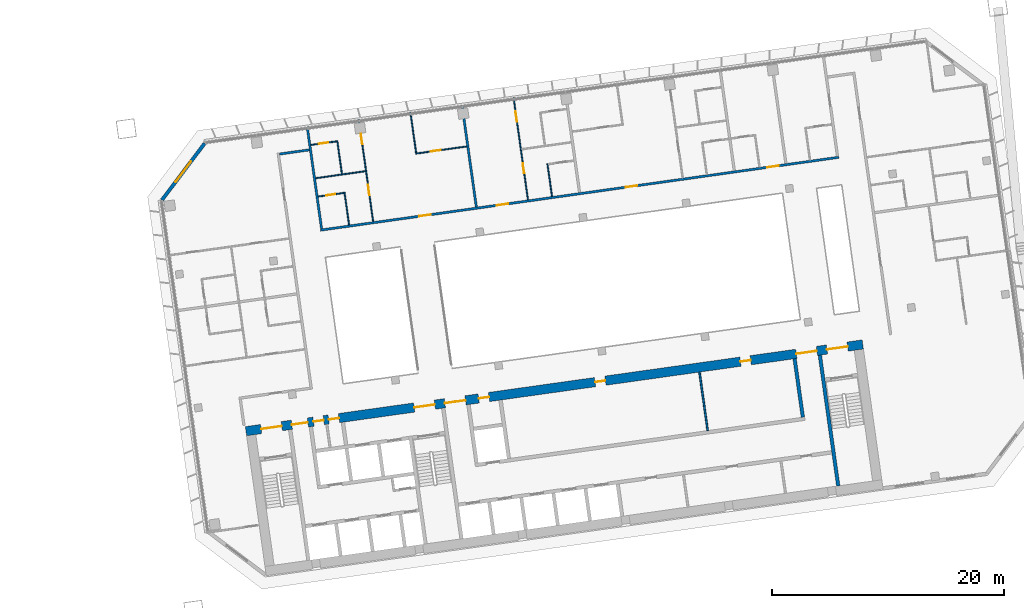
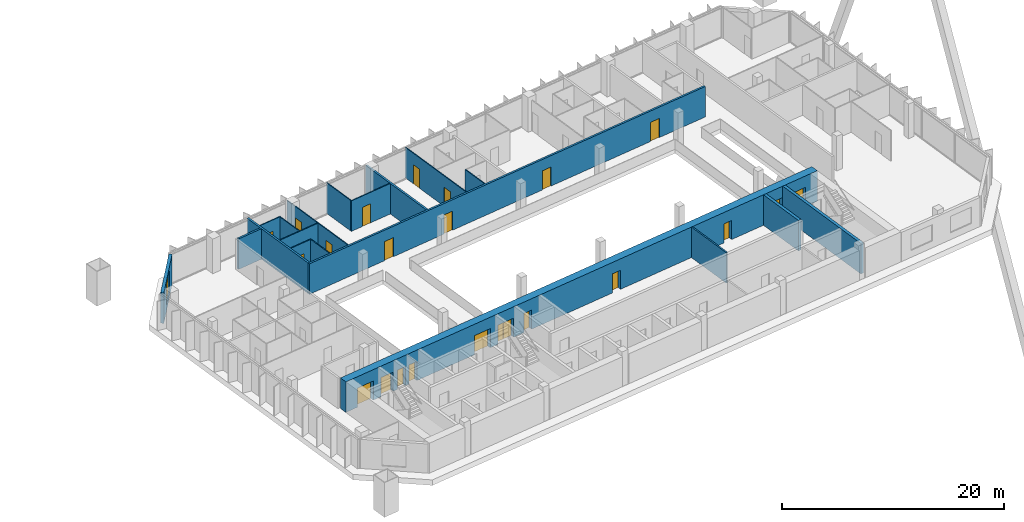
# One storey, part 28 of 33: 22 doors, 19 walls, 1 window, 23 openings.
"""IFC4 building model written with IfcOpenShell, lengths in metres."""

import ifcopenshell
import ifcopenshell.guid

model = None  # the IFC model being written
_history = None  # IfcOwnerHistory: only IFC2X3 demands one
_inside = {}  # id of a spatial element -> (the spatial element, [elements in it])
_under = {}  # id of a project, library or spatial element -> (it, [spatial elements below it])
_declared = {}  # id of a project -> (the project, [libraries it declares])
_typed = {}  # id of a type object -> (the type object, [elements of that type])
_made_of = {}  # id of a material, layer set ... -> (it, [elements and type objects made of it])


def new_model(schema):
    """Start an empty IFC model of exactly this schema.

    Asked for "IFC4X3", IfcOpenShell would pick the latest addendum, in which some entities
    have other attributes; the version numbers below select the first issue.
    IFC2X3 requires an IfcOwnerHistory on every rooted entity: one is made here for all.
    """
    global model, _history
    if schema == "IFC4X3":
        model = ifcopenshell.file(schema_version=(4, 3, 0, 0))
    else:
        model = ifcopenshell.file(schema=schema)
    _inside.clear()
    _under.clear()
    _declared.clear()
    _typed.clear()
    _made_of.clear()
    _history = None
    if model.schema == "IFC2X3":
        org = make("IfcOrganization", Name="unknown")
        user = make(
            "IfcPersonAndOrganization",
            ThePerson=make("IfcPerson", FamilyName="unknown"),
            TheOrganization=org,
        )
        app = make(
            "IfcApplication",
            ApplicationDeveloper=org,
            Version="unknown",
            ApplicationFullName="unknown",
            ApplicationIdentifier="unknown",
        )
        _history = make(
            "IfcOwnerHistory",
            OwningUser=user,
            OwningApplication=app,
            ChangeAction="ADDED",
            CreationDate=0,
        )
    return model


def make(cls, **values):
    """One entity of the class cls with the attributes given. An attribute that is None is left unset."""
    return model.create_entity(
        cls, **{name: value for name, value in values.items() if value is not None}
    )


def rooted(cls, **values):
    """An entity with a GlobalId (a new one), such as an element, a storey or a relation."""
    return make(cls, GlobalId=ifcopenshell.guid.new(), OwnerHistory=_history, **values)


def si_unit(unit_type, name, prefix=None):
    """IfcSIUnit, for example si_unit("LENGTHUNIT", "METRE", prefix="MILLI")."""
    return make("IfcSIUnit", UnitType=unit_type, Prefix=prefix, Name=name)


def assignment(units):
    """IfcUnitAssignment: the units of a project."""
    return None if units is None else make("IfcUnitAssignment", Units=units)


def point(xyz):
    """IfcCartesianPoint."""
    return None if xyz is None else make("IfcCartesianPoint", Coordinates=xyz)


def direction(xyz):
    """IfcDirection."""
    return None if xyz is None else make("IfcDirection", DirectionRatios=xyz)


def frame(location, z_axis=None, x_axis=None):
    """IfcAxis2Placement3D, a coordinate frame: its origin and axes. An axis left out is left unset."""
    return make(
        "IfcAxis2Placement3D",
        Location=point(location),
        Axis=direction(z_axis),
        RefDirection=direction(x_axis),
    )


def frame_2d(location, x_axis=None):
    """IfcAxis2Placement2D, a coordinate frame in the plane: its origin and x axis."""
    return make(
        "IfcAxis2Placement2D", Location=point(location), RefDirection=direction(x_axis)
    )


def origin():
    """The frame at (0, 0, 0) with its axes left unset."""
    return frame((0.0, 0.0, 0.0))


def place(relative_to, where):
    """IfcLocalPlacement: puts the frame where relative to a parent placement (None: the world)."""
    return make(
        "IfcLocalPlacement", PlacementRelTo=relative_to, RelativePlacement=where
    )


def context(
    kind, dimensions, precision=None, world=None, true_north=None, identifier=None
):
    """IfcGeometricRepresentationContext, for example the 3D "Model" context."""
    return make(
        "IfcGeometricRepresentationContext",
        ContextIdentifier=identifier,
        ContextType=kind,
        CoordinateSpaceDimension=dimensions,
        Precision=precision,
        WorldCoordinateSystem=world,
        TrueNorth=true_north,
    )


def subcontext(parent, identifier, kind, view, scale=None):
    """IfcGeometricRepresentationSubContext, for example "Body" below "Model"."""
    return make(
        "IfcGeometricRepresentationSubContext",
        ContextIdentifier=identifier,
        ContextType=kind,
        ParentContext=parent,
        TargetScale=scale,
        TargetView=view,
    )


def project(units=None, contexts=None):
    """IfcProject with its units and contexts."""
    return rooted(
        "IfcProject",
        Name="project",
        RepresentationContexts=contexts,
        UnitsInContext=assignment(units),
    )


def spatial(cls, under=None, at=None, **own):
    """A site, building, storey or space (cls), placed at a placement, below another one or the project."""
    s = rooted(cls, ObjectPlacement=at, **own)
    if under is not None:
        _under.setdefault(under.id(), (under, []))[1].append(s)
    return s


def profile(cls, at=None, kind="AREA", **sizes):
    """A parametric profile (cls). Its sizes go by their IFC names, for example OverallWidth=200.0."""
    return make(cls, ProfileType=kind, Position=at, **sizes)


def rectangle(**sizes):
    """IfcRectangleProfileDef."""
    return profile("IfcRectangleProfileDef", **sizes)


def extrude(swept, where, along, depth):
    """IfcExtrudedAreaSolid: the profile swept, set in the frame where, extruded along a direction by depth."""
    return make(
        "IfcExtrudedAreaSolid",
        SweptArea=swept,
        Position=where,
        ExtrudedDirection=direction(along),
        Depth=depth,
    )


def shape(context_of_items, identifier, shape_type, items):
    """IfcShapeRepresentation: the items that make up one representation, for example the "Body"."""
    return make(
        "IfcShapeRepresentation",
        ContextOfItems=context_of_items,
        RepresentationIdentifier=identifier,
        RepresentationType=shape_type,
        Items=items,
    )


def material(Name=None, Category=None):
    """IfcMaterial."""
    return make("IfcMaterial", Name=Name, Category=Category)


def layer(
    of_material, thickness, ventilated=None, Name=None, Category=None, Priority=None
):
    """IfcMaterialLayer: one layer of a wall or slab, of a material (None: an air gap)."""
    return make(
        "IfcMaterialLayer",
        Material=of_material,
        LayerThickness=thickness,
        IsVentilated=ventilated,
        Name=Name,
        Category=Category,
        Priority=Priority,
    )


def layer_set(layers, Name=None):
    """IfcMaterialLayerSet."""
    return make("IfcMaterialLayerSet", MaterialLayers=layers, LayerSetName=Name)


def made_of(thing, what):
    """Note that an element or type object is made of a material, layer set ...; save() writes the relation."""
    if what is not None:
        _made_of.setdefault(what.id(), (what, []))[1].append(thing)
    return thing


def type_object(cls, material=None, **own):
    """A type object (cls), such as IfcWallType, which elements share."""
    return made_of(rooted(cls, **own), material)


def element(
    cls,
    number,
    at=None,
    inside=None,
    cuts=None,
    type_object=None,
    material=None,
    context=None,
    identifier="Body",
    shape_type=None,
    held_by="IfcProductDefinitionShape",
    body=None,
    shapes=None,
    **own,
):
    """One element of the class cls, such as IfcWall. Its Tag is "e" and its number.

    at: its placement. inside: the storey or other place that contains it. cuts: it is an
    opening in that element (IfcRelVoidsElement). A single representation is given by context,
    identifier, shape_type and body (its items); several are given by shapes. held_by: the class
    of the entity that holds the representations. save() writes the other relations.
    """
    e = rooted(cls, Tag="e%d" % number, ObjectPlacement=at, **own)
    if body is not None:
        shapes = [shape(context, identifier, shape_type, body)]
    if shapes is not None:
        e.Representation = make(held_by, Representations=shapes)
    if inside is not None:
        _inside.setdefault(inside.id(), (inside, []))[1].append(e)
    if cuts is not None:
        rooted(
            "IfcRelVoidsElement", RelatingBuildingElement=cuts, RelatedOpeningElement=e
        )
    if type_object is not None:
        _typed.setdefault(type_object.id(), (type_object, []))[1].append(e)
    return made_of(e, material)


def fill(opening, filler):
    """IfcRelFillsElement: the door or window that sits in an opening."""
    return rooted(
        "IfcRelFillsElement",
        RelatingOpeningElement=opening,
        RelatedBuildingElement=filler,
    )


def aggregate(whole, parts):
    """IfcRelAggregates: a whole, such as a stair, and the parts it consists of."""
    return rooted("IfcRelAggregates", RelatingObject=whole, RelatedObjects=parts)


def save(model, path):
    """Write the relations noted so far, then the file.

    IfcRelAggregates (storeys below a building ...), IfcRelContainedInSpatialStructure (elements
    in a storey), IfcRelDefinesByType, IfcRelAssociatesMaterial and IfcRelDeclares: one each for
    every whole, place, type object, material and project.
    """
    for whole, parts in _under.values():
        aggregate(whole, parts)
    for where, things in _inside.values():
        rooted(
            "IfcRelContainedInSpatialStructure",
            RelatedElements=things,
            RelatingStructure=where,
        )
    for kind, things in _typed.values():
        rooted("IfcRelDefinesByType", RelatedObjects=things, RelatingType=kind)
    for what, things in _made_of.values():
        rooted("IfcRelAssociatesMaterial", RelatedObjects=things, RelatingMaterial=what)
    for by, libraries in _declared.values():
        rooted("IfcRelDeclares", RelatingContext=by, RelatedDefinitions=libraries)
    model.write(path)


model = new_model("IFC4")

# Units and contexts
model_context = context("Model", 3, precision=1e-05, world=origin(), true_north=direction((0.0, 1.0)))
body_context = subcontext(model_context, "Body", "Model", "MODEL_VIEW")
ifc_project = project(units=[si_unit("LENGTHUNIT", "METRE"), si_unit("AREAUNIT", "SQUARE_METRE"), si_unit("VOLUMEUNIT", "CUBIC_METRE"), si_unit("PLANEANGLEUNIT", "RADIAN"), si_unit("MASSUNIT", "GRAM", prefix="KILO")], contexts=[model_context])

# Site, building, storey
site_placement = place(None, origin())
site = spatial("IfcSite", under=ifc_project, at=site_placement, CompositionType="ELEMENT")
building_placement = place(site_placement, origin())
building = spatial("IfcBuilding", under=site, at=building_placement, Name="Mirante Cascada Hotel Towers", CompositionType="ELEMENT")
storey_placement = place(building_placement, frame((0.0, 0.0, 121.5)))
storey = spatial("IfcBuildingStorey", under=building, at=storey_placement, Name="L27", CompositionType="ELEMENT", Elevation=121.5)

# Wall, openings, doors
ifc_material_1 = material(Name="Fire-rated plasterboard on metal studs")
ifc_layer_1 = layer(ifc_material_1, 0.2)
ifc_layer_set_1 = layer_set([ifc_layer_1], Name="Compartment wall 200 EI 120")
wall_type_1 = type_object("IfcWallType", Name="Compartment wall 200 EI 120", PredefinedType="PARTITIONING", material=ifc_layer_set_1)
wall_1_placement = place(storey_placement, frame((41.8779, 9.7676, 0.0), z_axis=(0.0, 0.0, 1.0), x_axis=(0.9902681, 0.1391726, 0.0)))
wall_1 = element("IfcWall", 1, at=wall_1_placement, inside=storey, type_object=wall_type_1, Name="Wall 2-L27-16", PredefinedType="PARTITIONING", context=body_context, shape_type="SweptSolid", body=[
    extrude(rectangle(XDim=45.2, YDim=0.2, at=frame_2d((22.6, 0.0))), origin(), (0.0, 0.0, 1.0), 3.35),
])
opening_1_placement = place(wall_1_placement, frame((8.6, 0.0, 0.0)))
opening_1 = element("IfcOpeningElement", 2, at=opening_1_placement, cuts=wall_1, Name="Opening D2-L27-09", PredefinedType="OPENING", context=body_context, shape_type="SweptSolid", body=[
    extrude(rectangle(XDim=1.0, YDim=2.1, at=frame_2d((0.5, 1.05))), frame((0.0, 0.1, 0.0), z_axis=(0.0, -1.0, 0.0), x_axis=(1.0, 0.0, 0.0)), (0.0, 0.0, 1.0), 0.2),
])
opening_2_placement = place(wall_1_placement, frame((15.35, 0.0, 0.0)))
opening_2 = element("IfcOpeningElement", 3, at=opening_2_placement, cuts=wall_1, Name="Opening D2-L27-10", PredefinedType="OPENING", context=body_context, shape_type="SweptSolid", body=[
    extrude(rectangle(XDim=1.0, YDim=2.1, at=frame_2d((0.5, 1.05))), frame((0.0, 0.1, 0.0), z_axis=(0.0, -1.0, 0.0), x_axis=(1.0, 0.0, 0.0)), (0.0, 0.0, 1.0), 0.2),
])
opening_3_placement = place(wall_1_placement, frame((26.6, 0.0, 0.0)))
opening_3 = element("IfcOpeningElement", 4, at=opening_3_placement, cuts=wall_1, Name="Opening D2-L27-11", PredefinedType="OPENING", context=body_context, shape_type="SweptSolid", body=[
    extrude(rectangle(XDim=1.0, YDim=2.1, at=frame_2d((0.5, 1.05))), frame((0.0, 0.1, 0.0), z_axis=(0.0, -1.0, 0.0), x_axis=(1.0, 0.0, 0.0)), (0.0, 0.0, 1.0), 0.2),
])
opening_4_placement = place(wall_1_placement, frame((38.95, 0.0, 0.0)))
opening_4 = element("IfcOpeningElement", 5, at=opening_4_placement, cuts=wall_1, Name="Opening D2-L27-12", PredefinedType="OPENING", context=body_context, shape_type="SweptSolid", body=[
    extrude(rectangle(XDim=1.0, YDim=2.1, at=frame_2d((0.5, 1.05))), frame((0.0, 0.1, 0.0), z_axis=(0.0, -1.0, 0.0), x_axis=(1.0, 0.0, 0.0)), (0.0, 0.0, 1.0), 0.2),
])
ifc_material_2 = material(Name="Fire-rated timber door leaf", Category="wood")
door_type_1 = type_object("IfcDoorType", Name="Entrance door DG1 1000x2100 EI 60", OperationType="SINGLE_SWING_LEFT", PredefinedType="DOOR", material=ifc_material_2)
door_1_placement = place(opening_1_placement, origin())
door_1 = element("IfcDoor", 6, at=door_1_placement, inside=storey, type_object=door_type_1, Name="Door D2-L27-09", OperationType="SINGLE_SWING_LEFT", OverallHeight=2.1, OverallWidth=1.0, PredefinedType="DOOR", context=body_context, shape_type="SweptSolid", body=[
    extrude(rectangle(XDim=1.0, YDim=2.1, at=frame_2d((0.5, 1.05))), frame((0.0, 0.025, 0.0), z_axis=(0.0, -1.0, 0.0), x_axis=(1.0, 0.0, 0.0)), (0.0, 0.0, 1.0), 0.05),
])
fill(opening_1, door_1)
door_2_placement = place(opening_2_placement, origin())
door_2 = element("IfcDoor", 7, at=door_2_placement, inside=storey, type_object=door_type_1, Name="Door D2-L27-10", OperationType="SINGLE_SWING_LEFT", OverallHeight=2.1, OverallWidth=1.0, PredefinedType="DOOR", context=body_context, shape_type="SweptSolid", body=[
    extrude(rectangle(XDim=1.0, YDim=2.1, at=frame_2d((0.5, 1.05))), frame((0.0, 0.025, 0.0), z_axis=(0.0, -1.0, 0.0), x_axis=(1.0, 0.0, 0.0)), (0.0, 0.0, 1.0), 0.05),
])
fill(opening_2, door_2)
door_3_placement = place(opening_3_placement, origin())
door_3 = element("IfcDoor", 8, at=door_3_placement, inside=storey, type_object=door_type_1, Name="Door D2-L27-11", OperationType="SINGLE_SWING_LEFT", OverallHeight=2.1, OverallWidth=1.0, PredefinedType="DOOR", context=body_context, shape_type="SweptSolid", body=[
    extrude(rectangle(XDim=1.0, YDim=2.1, at=frame_2d((0.5, 1.05))), frame((0.0, 0.025, 0.0), z_axis=(0.0, -1.0, 0.0), x_axis=(1.0, 0.0, 0.0)), (0.0, 0.0, 1.0), 0.05),
])
fill(opening_3, door_3)
door_4_placement = place(opening_4_placement, origin())
door_4 = element("IfcDoor", 9, at=door_4_placement, inside=storey, type_object=door_type_1, Name="Door D2-L27-12", OperationType="SINGLE_SWING_LEFT", OverallHeight=2.1, OverallWidth=1.0, PredefinedType="DOOR", context=body_context, shape_type="SweptSolid", body=[
    extrude(rectangle(XDim=1.0, YDim=2.1, at=frame_2d((0.5, 1.05))), frame((0.0, 0.025, 0.0), z_axis=(0.0, -1.0, 0.0), x_axis=(1.0, 0.0, 0.0)), (0.0, 0.0, 1.0), 0.05),
])
fill(opening_4, door_4)

# Walls
wall_2_placement = place(storey_placement, frame((40.9036, 16.6995, 0.0), z_axis=(0.0, 0.0, 1.0), x_axis=(-0.9902647, -0.1391971, 0.0)))
element("IfcWall", 10, at=wall_2_placement, inside=storey, type_object=wall_type_1, Name="Wall 2-L27-27", PredefinedType="PARTITIONING", context=body_context, shape_type="SweptSolid", body=[
    extrude(rectangle(XDim=2.5999, YDim=0.2, at=frame_2d((1.3, 0.0))), origin(), (0.0, 0.0, 1.0), 3.35),
])
for number, where, z_axis, x_axis, name in (
    (11, (40.7243, 18.6939, 0.0), (0.0, 0.0, 1.0), (0.1391794, -0.9902672, 0.0), "Wall 2-L27-37"),
    (12, (55.3316, 11.7594, 0.0), (0.0, 0.0, 1.0), (-0.1391794, 0.9902672, 0.0), "Wall 2-L27-42"),
):
    element("IfcWall", number, at=place(storey_placement, frame(where, z_axis=z_axis, x_axis=x_axis)), inside=storey, type_object=wall_type_1, Name=name, PredefinedType="PARTITIONING", context=body_context, shape_type="SweptSolid", body=[
        extrude(rectangle(XDim=8.9, YDim=0.2, at=frame_2d((4.45, 0.0))), origin(), (0.0, 0.0, 1.0), 3.35),
    ])
ifc_material_3 = material(Name="Masonry block", Category="masonry")
ifc_layer_2 = layer(ifc_material_3, 0.15)
ifc_layer_set_2 = layer_set([ifc_layer_2], Name="Core room partition 150 block EI 30")
wall_type_2 = type_object("IfcWallType", Name="Core room partition 150 block EI 30", PredefinedType="PARTITIONING", material=ifc_layer_set_2)
wall_3_placement = place(storey_placement, frame((75.3131, -7.5476, 0.0), z_axis=(0.0, 0.0, 1.0), x_axis=(-0.1391782, 0.9902673, 0.0)))
element("IfcWall", 13, at=wall_3_placement, inside=storey, type_object=wall_type_2, Name="Core wall partition T2 L27 7", PredefinedType="PARTITIONING", context=body_context, shape_type="SweptSolid", body=[
    extrude(rectangle(XDim=5.0999, YDim=0.15, at=frame_2d((2.55, 0.0))), origin(), (0.0, 0.0, 1.0), 3.35),
])

# Wall, opening, door
ifc_material_4 = material(Name="Plasterboard on metal studs")
ifc_layer_3 = layer(ifc_material_4, 0.1)
ifc_layer_set_3 = layer_set([ifc_layer_3], Name="Partition 100")
wall_type_3 = type_object("IfcWallType", Name="Partition 100", PredefinedType="PARTITIONING", material=ifc_layer_set_3)
wall_4_placement = place(storey_placement, frame((43.9004, 12.9804, 0.0), z_axis=(0.0, 0.0, 1.0), x_axis=(-0.9902643, -0.1391997, 0.0)))
wall_4 = element("IfcWall", 14, at=wall_4_placement, inside=storey, type_object=wall_type_3, Name="Wall 2-L27-17", PredefinedType="PARTITIONING", context=body_context, shape_type="SweptSolid", body=[
    extrude(rectangle(XDim=2.25, YDim=0.1, at=frame_2d((1.125, 0.0))), origin(), (0.0, 0.0, 1.0), 3.35),
])
opening_5_placement = place(wall_4_placement, frame((0.75, 0.0, 0.0)))
opening_5 = element("IfcOpeningElement", 15, at=opening_5_placement, cuts=wall_4, Name="Opening D2-L27-13", PredefinedType="OPENING", context=body_context, shape_type="SweptSolid", body=[
    extrude(rectangle(XDim=0.8, YDim=2.1, at=frame_2d((0.4, 1.05))), frame((0.0, 0.05, 0.0), z_axis=(0.0, -1.0, 0.0), x_axis=(1.0, 0.0, 0.0)), (0.0, 0.0, 1.0), 0.1),
])
ifc_material_5 = material(Name="Timber door leaf", Category="wood")
door_type_2 = type_object("IfcDoorType", Name="Bathroom door DG4 800x2100", OperationType="SINGLE_SWING_LEFT", PredefinedType="DOOR", material=ifc_material_5)
door_5_placement = place(opening_5_placement, origin())
door_5 = element("IfcDoor", 16, at=door_5_placement, inside=storey, type_object=door_type_2, Name="Door D2-L27-13", OperationType="SINGLE_SWING_LEFT", OverallHeight=2.1, OverallWidth=0.8, PredefinedType="DOOR", context=body_context, shape_type="SweptSolid", body=[
    extrude(rectangle(XDim=0.8, YDim=2.1, at=frame_2d((0.4, 1.05))), frame((0.0, 0.025, 0.0), z_axis=(0.0, -1.0, 0.0), x_axis=(1.0, 0.0, 0.0)), (0.0, 0.0, 1.0), 0.05),
])
fill(opening_5, door_5)

# Wall
wall_5_placement = place(storey_placement, frame((45.7573, 14.857, 0.0), z_axis=(0.0, 0.0, 1.0), x_axis=(-0.9902683, -0.1391714, 0.0)))
element("IfcWall", 17, at=wall_5_placement, inside=storey, type_object=wall_type_3, Name="Wall 2-L27-21", PredefinedType="PARTITIONING", context=body_context, shape_type="SweptSolid", body=[
    extrude(rectangle(XDim=4.35, YDim=0.1, at=frame_2d((2.175, 0.0))), origin(), (0.0, 0.0, 1.0), 3.35),
])

# Wall, opening, door
wall_6_placement = place(storey_placement, frame((54.4949, 16.9939, 0.0), z_axis=(0.0, 0.0, 1.0), x_axis=(-0.9902683, -0.1391715, 0.0)))
wall_6 = element("IfcWall", 18, at=wall_6_placement, inside=storey, type_object=wall_type_3, Name="Wall 2-L27-25", PredefinedType="PARTITIONING", context=body_context, shape_type="SweptSolid", body=[
    extrude(rectangle(XDim=4.4499, YDim=0.1, at=frame_2d((2.225, 0.0))), origin(), (0.0, 0.0, 1.0), 3.35),
])
opening_6_placement = place(wall_6_placement, frame((2.25, 0.0, 0.0)))
opening_6 = element("IfcOpeningElement", 19, at=opening_6_placement, cuts=wall_6, Name="Opening D2-L27-18", PredefinedType="OPENING", context=body_context, shape_type="SweptSolid", body=[
    extrude(rectangle(XDim=0.9, YDim=2.1, at=frame_2d((0.45, 1.05))), frame((0.0, 0.05, 0.0), z_axis=(0.0, -1.0, 0.0), x_axis=(1.0, 0.0, 0.0)), (0.0, 0.0, 1.0), 0.1),
])
ifc_material_6 = material(Name="Timber door leaf", Category="wood")
door_type_3 = type_object("IfcDoorType", Name="Room door DG3 900x2100", OperationType="SINGLE_SWING_LEFT", PredefinedType="DOOR", material=ifc_material_6)
door_6_placement = place(opening_6_placement, origin())
door_6 = element("IfcDoor", 20, at=door_6_placement, inside=storey, type_object=door_type_3, Name="Door D2-L27-18", OperationType="SINGLE_SWING_LEFT", OverallHeight=2.1, OverallWidth=0.9, PredefinedType="DOOR", context=body_context, shape_type="SweptSolid", body=[
    extrude(rectangle(XDim=0.9, YDim=2.1, at=frame_2d((0.45, 1.05))), frame((0.0, 0.025, 0.0), z_axis=(0.0, -1.0, 0.0), x_axis=(1.0, 0.0, 0.0)), (0.0, 0.0, 1.0), 0.05),
])
fill(opening_6, door_6)

wall_7_placement = place(storey_placement, frame((43.2741, 17.4366, 0.0), z_axis=(0.0, 0.0, 1.0), x_axis=(-0.9902643, -0.1391997, 0.0)))
wall_7 = element("IfcWall", 21, at=wall_7_placement, inside=storey, type_object=wall_type_3, Name="Wall 2-L27-29", PredefinedType="PARTITIONING", context=body_context, shape_type="SweptSolid", body=[
    extrude(rectangle(XDim=2.25, YDim=0.1, at=frame_2d((1.125, 0.0))), origin(), (0.0, 0.0, 1.0), 3.35),
])
opening_7_placement = place(wall_7_placement, frame((0.75, 0.0, 0.0)))
opening_7 = element("IfcOpeningElement", 22, at=opening_7_placement, cuts=wall_7, Name="Opening D2-L27-20", PredefinedType="OPENING", context=body_context, shape_type="SweptSolid", body=[
    extrude(rectangle(XDim=0.8, YDim=2.1, at=frame_2d((0.4, 1.05))), frame((0.0, 0.05, 0.0), z_axis=(0.0, -1.0, 0.0), x_axis=(1.0, 0.0, 0.0)), (0.0, 0.0, 1.0), 0.1),
])
door_7_placement = place(opening_7_placement, origin())
door_7 = element("IfcDoor", 23, at=door_7_placement, inside=storey, type_object=door_type_2, Name="Door D2-L27-20", OperationType="SINGLE_SWING_LEFT", OverallHeight=2.1, OverallWidth=0.8, PredefinedType="DOOR", context=body_context, shape_type="SweptSolid", body=[
    extrude(rectangle(XDim=0.8, YDim=2.1, at=frame_2d((0.4, 1.05))), frame((0.0, 0.025, 0.0), z_axis=(0.0, -1.0, 0.0), x_axis=(1.0, 0.0, 0.0)), (0.0, 0.0, 1.0), 0.05),
])
fill(opening_7, door_7)

# Walls
wall_8_placement = place(storey_placement, frame((44.3396, 10.2146, 0.0), z_axis=(0.0, 0.0, 1.0), x_axis=(-0.1391613, 0.9902697, 0.0)))
element("IfcWall", 24, at=wall_8_placement, inside=storey, type_object=wall_type_3, Name="Wall 2-L27-38", PredefinedType="PARTITIONING", context=body_context, shape_type="SweptSolid", body=[
    extrude(rectangle(XDim=2.8499, YDim=0.1, at=frame_2d((1.425, 0.0))), origin(), (0.0, 0.0, 1.0), 3.35),
])
wall_9_placement = place(storey_placement, frame((43.3167, 17.493, 0.0), z_axis=(0.0, 0.0, 1.0), x_axis=(0.1391761, -0.9902676, 0.0)))
element("IfcWall", 25, at=wall_9_placement, inside=storey, type_object=wall_type_3, Name="Wall 2-L27-39", PredefinedType="PARTITIONING", context=body_context, shape_type="SweptSolid", body=[
    extrude(rectangle(XDim=2.8999, YDim=0.1, at=frame_2d((1.45, 0.0))), origin(), (0.0, 0.0, 1.0), 3.35),
])

# Wall, openings, doors
wall_10_placement = place(storey_placement, frame((46.4192, 10.5068, 0.0), z_axis=(0.0, 0.0, 1.0), x_axis=(-0.1391794, 0.9902672, 0.0)))
wall_10 = element("IfcWall", 26, at=wall_10_placement, inside=storey, type_object=wall_type_3, Name="Wall 2-L27-40", PredefinedType="PARTITIONING", context=body_context, shape_type="SweptSolid", body=[
    extrude(rectangle(XDim=8.9, YDim=0.1, at=frame_2d((4.45, 0.0))), origin(), (0.0, 0.0, 1.0), 3.35),
])
opening_8_placement = place(wall_10_placement, frame((2.3, 0.0, 0.0)))
opening_8 = element("IfcOpeningElement", 27, at=opening_8_placement, cuts=wall_10, Name="Opening D2-L27-28", PredefinedType="OPENING", context=body_context, shape_type="SweptSolid", body=[
    extrude(rectangle(XDim=0.9, YDim=2.1, at=frame_2d((0.45, 1.05))), frame((0.0, 0.05, 0.0), z_axis=(0.0, -1.0, 0.0), x_axis=(1.0, 0.0, 0.0)), (0.0, 0.0, 1.0), 0.1),
])
opening_9_placement = place(wall_10_placement, frame((6.75, 0.0, 0.0)))
opening_9 = element("IfcOpeningElement", 28, at=opening_9_placement, cuts=wall_10, Name="Opening D2-L27-29", PredefinedType="OPENING", context=body_context, shape_type="SweptSolid", body=[
    extrude(rectangle(XDim=0.9, YDim=2.1, at=frame_2d((0.45, 1.05))), frame((0.0, 0.05, 0.0), z_axis=(0.0, -1.0, 0.0), x_axis=(1.0, 0.0, 0.0)), (0.0, 0.0, 1.0), 0.1),
])
door_8_placement = place(opening_8_placement, frame((0.9, 0.0, 0.0), z_axis=(0.0, 0.0, 1.0), x_axis=(-1.0, 0.0, 0.0)))
door_8 = element("IfcDoor", 29, at=door_8_placement, inside=storey, type_object=door_type_3, Name="Door D2-L27-28", OperationType="SINGLE_SWING_RIGHT", OverallHeight=2.1, OverallWidth=0.9, PredefinedType="DOOR", context=body_context, shape_type="SweptSolid", body=[
    extrude(rectangle(XDim=0.9, YDim=2.1, at=frame_2d((0.45, 1.05))), frame((0.0, 0.025, 0.0), z_axis=(0.0, -1.0, 0.0), x_axis=(1.0, 0.0, 0.0)), (0.0, 0.0, 1.0), 0.05),
])
fill(opening_8, door_8)
door_9_placement = place(opening_9_placement, frame((0.9, 0.0, 0.0), z_axis=(0.0, 0.0, 1.0), x_axis=(-1.0, 0.0, 0.0)))
door_9 = element("IfcDoor", 30, at=door_9_placement, inside=storey, type_object=door_type_3, Name="Door D2-L27-29", OperationType="SINGLE_SWING_RIGHT", OverallHeight=2.1, OverallWidth=0.9, PredefinedType="DOOR", context=body_context, shape_type="SweptSolid", body=[
    extrude(rectangle(XDim=0.9, YDim=2.1, at=frame_2d((0.45, 1.05))), frame((0.0, 0.025, 0.0), z_axis=(0.0, -1.0, 0.0), x_axis=(1.0, 0.0, 0.0)), (0.0, 0.0, 1.0), 0.05),
])
fill(opening_9, door_9)

# Wall
wall_11_placement = place(storey_placement, frame((49.6367, 19.9465, 0.0), z_axis=(0.0, 0.0, 1.0), x_axis=(0.139181, -0.990267, 0.0)))
element("IfcWall", 31, at=wall_11_placement, inside=storey, type_object=wall_type_3, Name="Wall 2-L27-41", PredefinedType="PARTITIONING", context=body_context, shape_type="SweptSolid", body=[
    extrude(rectangle(XDim=3.5501, YDim=0.1, at=frame_2d((1.775, 0.0))), origin(), (0.0, 0.0, 1.0), 3.35),
])

# Wall, openings, doors
wall_12_placement = place(storey_placement, frame((58.5492, 21.199, 0.0), z_axis=(0.0, 0.0, 1.0), x_axis=(0.13917, -0.9902685, 0.0)))
wall_12 = element("IfcWall", 32, at=wall_12_placement, inside=storey, type_object=wall_type_3, Name="Wall 2-L27-43", PredefinedType="PARTITIONING", context=body_context, shape_type="SweptSolid", body=[
    extrude(rectangle(XDim=8.8999, YDim=0.1, at=frame_2d((4.45, 0.0))), origin(), (0.0, 0.0, 1.0), 3.35),
])
opening_10_placement = place(wall_12_placement, frame((5.7, 0.0, 0.0)))
opening_10 = element("IfcOpeningElement", 33, at=opening_10_placement, cuts=wall_12, Name="Opening D2-L27-30", PredefinedType="OPENING", context=body_context, shape_type="SweptSolid", body=[
    extrude(rectangle(XDim=0.9, YDim=2.1, at=frame_2d((0.45, 1.05))), frame((0.0, 0.05, 0.0), z_axis=(0.0, -1.0, 0.0), x_axis=(1.0, 0.0, 0.0)), (0.0, 0.0, 1.0), 0.1),
])
opening_11_placement = place(wall_12_placement, frame((1.2, 0.0, 0.0)))
opening_11 = element("IfcOpeningElement", 34, at=opening_11_placement, cuts=wall_12, Name="Opening D2-L27-31", PredefinedType="OPENING", context=body_context, shape_type="SweptSolid", body=[
    extrude(rectangle(XDim=0.9, YDim=2.1, at=frame_2d((0.45, 1.05))), frame((0.0, 0.05, 0.0), z_axis=(0.0, -1.0, 0.0), x_axis=(1.0, 0.0, 0.0)), (0.0, 0.0, 1.0), 0.1),
])
door_10_placement = place(opening_10_placement, frame((0.9, 0.0, 0.0), z_axis=(0.0, 0.0, 1.0), x_axis=(-1.0, 0.0, 0.0)))
door_10 = element("IfcDoor", 35, at=door_10_placement, inside=storey, type_object=door_type_3, Name="Door D2-L27-30", OperationType="SINGLE_SWING_RIGHT", OverallHeight=2.1, OverallWidth=0.9, PredefinedType="DOOR", context=body_context, shape_type="SweptSolid", body=[
    extrude(rectangle(XDim=0.9, YDim=2.1, at=frame_2d((0.45, 1.05))), frame((0.0, 0.025, 0.0), z_axis=(0.0, -1.0, 0.0), x_axis=(1.0, 0.0, 0.0)), (0.0, 0.0, 1.0), 0.05),
])
fill(opening_10, door_10)
door_11_placement = place(opening_11_placement, frame((0.9, 0.0, 0.0), z_axis=(0.0, 0.0, 1.0), x_axis=(-1.0, 0.0, 0.0)))
door_11 = element("IfcDoor", 36, at=door_11_placement, inside=storey, type_object=door_type_3, Name="Door D2-L27-31", OperationType="SINGLE_SWING_RIGHT", OverallHeight=2.1, OverallWidth=0.9, PredefinedType="DOOR", context=body_context, shape_type="SweptSolid", body=[
    extrude(rectangle(XDim=0.9, YDim=2.1, at=frame_2d((0.45, 1.05))), frame((0.0, 0.025, 0.0), z_axis=(0.0, -1.0, 0.0), x_axis=(1.0, 0.0, 0.0)), (0.0, 0.0, 1.0), 0.05),
])
fill(opening_11, door_11)

# Wall
wall_13_placement = place(storey_placement, frame((61.8674, 12.6779, 0.0), z_axis=(0.0, 0.0, 1.0), x_axis=(-0.1391909, 0.9902656, 0.0)))
element("IfcWall", 37, at=wall_13_placement, inside=storey, type_object=wall_type_3, Name="Wall 2-L27-44", PredefinedType="PARTITIONING", context=body_context, shape_type="SweptSolid", body=[
    extrude(rectangle(XDim=2.85, YDim=0.1, at=frame_2d((1.425, 0.0))), origin(), (0.0, 0.0, 1.0), 3.35),
])

# Wall, opening, window
ifc_material_7 = material(Name="Precast concrete C40/50", Category="concrete")
ifc_layer_4 = layer(ifc_material_7, 0.3)
ifc_layer_set_4 = layer_set([ifc_layer_4], Name="Precast concrete C40/50 cladding wall 300")
wall_type_4 = type_object("IfcWallType", Name="Precast concrete C40/50 cladding wall 300", PredefinedType="STANDARD", material=ifc_layer_set_4)
wall_14_placement = place(storey_placement, frame((31.857, 17.252, 0.0), z_axis=(0.0, 0.0, 1.0), x_axis=(-0.6018141, -0.7986362, 0.0)))
wall_14 = element("IfcWall", 38, at=wall_14_placement, inside=storey, type_object=wall_type_4, Name="Corner cladding wall T2 L27 front inner", PredefinedType="STANDARD", context=body_context, shape_type="SweptSolid", body=[
    extrude(rectangle(XDim=6.1157, YDim=0.3, at=frame_2d((3.0578, 0.0))), origin(), (0.0, 0.0, 1.0), 3.35),
])
opening_12_placement = place(wall_14_placement, frame((1.9578, 0.0, 0.6)))
opening_12 = element("IfcOpeningElement", 39, at=opening_12_placement, cuts=wall_14, Name="Opening W2-27-05", PredefinedType="OPENING", context=body_context, shape_type="SweptSolid", body=[
    extrude(rectangle(XDim=2.2, YDim=2.4, at=frame_2d((1.1, 1.2))), frame((0.0, 0.15, 0.0), z_axis=(0.0, -1.0, 0.0), x_axis=(1.0, 0.0, 0.0)), (0.0, 0.0, 1.0), 0.3),
])
ifc_material_8 = material(Name="Aluminium frame with clear double glazing", Category="aluminium")
window_type = type_object("IfcWindowType", Name="Corner suite window 2200x2400", PartitioningType="DOUBLE_PANEL_VERTICAL", PredefinedType="WINDOW", material=ifc_material_8)
window_placement = place(opening_12_placement, origin())
window = element("IfcWindow", 40, at=window_placement, inside=storey, type_object=window_type, Name="Window W2-27-05", OverallHeight=2.4, OverallWidth=2.2, PartitioningType="SINGLE_PANEL", PredefinedType="WINDOW", context=body_context, shape_type="SweptSolid", body=[
    extrude(rectangle(XDim=2.2, YDim=2.4, at=frame_2d((1.1, 1.2))), frame((0.0, 0.03, 0.0), z_axis=(0.0, -1.0, 0.0), x_axis=(1.0, 0.0, 0.0)), (0.0, 0.0, 1.0), 0.06),
])
fill(opening_12, window)

# Walls
ifc_material_9 = material(Name="Concrete C50/60", Category="concrete")
ifc_layer_5 = layer(ifc_material_9, 0.3)
ifc_layer_set_5 = layer_set([ifc_layer_5], Name="RC core wall 300 C50/60")
wall_type_5 = type_object("IfcWallType", Name="RC core wall 300 C50/60", PredefinedType="SHEAR", material=ifc_layer_set_5)
wall_15_placement = place(storey_placement, frame((86.5877, -12.325, 0.0), z_axis=(0.0, 0.0, 1.0), x_axis=(-0.1391749, 0.9902678, 0.0)))
element("IfcWall", 41, at=wall_15_placement, inside=storey, type_object=wall_type_5, Name="Core wall T2:L27:8", PredefinedType="SHEAR", context=body_context, shape_type="SweptSolid", body=[
    extrude(rectangle(XDim=11.4, YDim=0.3, at=frame_2d((5.7, 0.0))), origin(), (0.0, 0.0, 1.0), 3.35),
])
wall_16_placement = place(storey_placement, frame((83.5323, -6.3925, 0.0), z_axis=(0.0, 0.0, 1.0), x_axis=(-0.1391755, 0.9902677, 0.0)))
element("IfcWall", 42, at=wall_16_placement, inside=storey, type_object=wall_type_5, Name="Core wall T2:L27:35", PredefinedType="SHEAR", context=body_context, shape_type="SweptSolid", body=[
    extrude(rectangle(XDim=5.1, YDim=0.3, at=frame_2d((2.55, 0.0))), origin(), (0.0, 0.0, 1.0), 3.35),
])

# Wall, openings, doors
ifc_material_10 = material(Name="Concrete C50/60", Category="concrete")
ifc_layer_6 = layer(ifc_material_10, 0.8)
ifc_layer_set_6 = layer_set([ifc_layer_6], Name="RC core wall 800 C50/60")
wall_type_6 = type_object("IfcWallType", Name="RC core wall 800 C50/60", PredefinedType="SHEAR", material=ifc_layer_set_6)
wall_17_placement = place(storey_placement, frame((35.432, -7.5985, 0.0), z_axis=(0.0, 0.0, 1.0), x_axis=(0.9902681, 0.1391729, 0.0)))
wall_17 = element("IfcWall", 43, at=wall_17_placement, inside=storey, type_object=wall_type_6, Name="Core wall T2:L27:2", PredefinedType="SHEAR", context=body_context, shape_type="SweptSolid", body=[
    extrude(rectangle(XDim=53.8, YDim=0.8, at=frame_2d((26.9, 0.0))), origin(), (0.0, 0.0, 1.0), 3.35),
])
opening_13_placement = place(wall_17_placement, frame((1.325, 0.0, 0.0)))
opening_13 = element("IfcOpeningElement", 44, at=opening_13_placement, cuts=wall_17, Name="Opening D2-27-C14", PredefinedType="OPENING", context=body_context, shape_type="SweptSolid", body=[
    extrude(rectangle(XDim=1.8, YDim=2.1, at=frame_2d((0.9, 1.05))), frame((0.0, 0.4, 0.0), z_axis=(0.0, -1.0, 0.0), x_axis=(1.0, 0.0, 0.0)), (0.0, 0.0, 1.0), 0.8),
])
opening_14_placement = place(wall_17_placement, frame((14.675, 0.0, 0.0)))
opening_14 = element("IfcOpeningElement", 45, at=opening_14_placement, cuts=wall_17, Name="Opening D2-27-C16", PredefinedType="OPENING", context=body_context, shape_type="SweptSolid", body=[
    extrude(rectangle(XDim=1.8, YDim=2.1, at=frame_2d((0.9, 1.05))), frame((0.0, 0.4, 0.0), z_axis=(0.0, -1.0, 0.0), x_axis=(1.0, 0.0, 0.0)), (0.0, 0.0, 1.0), 0.8),
])
opening_15_placement = place(wall_17_placement, frame((50.675, 0.0, 0.0)))
opening_15 = element("IfcOpeningElement", 46, at=opening_15_placement, cuts=wall_17, Name="Opening D2-27-C18", PredefinedType="OPENING", context=body_context, shape_type="SweptSolid", body=[
    extrude(rectangle(XDim=1.8, YDim=2.1, at=frame_2d((0.9, 1.05))), frame((0.0, 0.4, 0.0), z_axis=(0.0, -1.0, 0.0), x_axis=(1.0, 0.0, 0.0)), (0.0, 0.0, 1.0), 0.8),
])
opening_16_placement = place(wall_17_placement, frame((4.0, 0.0, 0.0)))
opening_16 = element("IfcOpeningElement", 47, at=opening_16_placement, cuts=wall_17, Name="Opening D2-27-C19", PredefinedType="OPENING", context=body_context, shape_type="SweptSolid", body=[
    extrude(rectangle(XDim=1.4, YDim=2.1, at=frame_2d((0.7, 1.05))), frame((0.0, 0.4, 0.0), z_axis=(0.0, -1.0, 0.0), x_axis=(1.0, 0.0, 0.0)), (0.0, 0.0, 1.0), 0.8),
])
opening_17_placement = place(wall_17_placement, frame((17.35, 0.0, 0.0)))
opening_17 = element("IfcOpeningElement", 48, at=opening_17_placement, cuts=wall_17, Name="Opening D2-27-C20", PredefinedType="OPENING", context=body_context, shape_type="SweptSolid", body=[
    extrude(rectangle(XDim=1.8, YDim=2.1, at=frame_2d((0.9, 1.05))), frame((0.0, 0.4, 0.0), z_axis=(0.0, -1.0, 0.0), x_axis=(1.0, 0.0, 0.0)), (0.0, 0.0, 1.0), 0.8),
])
opening_18_placement = place(wall_17_placement, frame((48.0, 0.0, 0.0)))
opening_18 = element("IfcOpeningElement", 49, at=opening_18_placement, cuts=wall_17, Name="Opening D2-27-C21", PredefinedType="OPENING", context=body_context, shape_type="SweptSolid", body=[
    extrude(rectangle(XDim=1.8, YDim=2.1, at=frame_2d((0.9, 1.05))), frame((0.0, 0.4, 0.0), z_axis=(0.0, -1.0, 0.0), x_axis=(1.0, 0.0, 0.0)), (0.0, 0.0, 1.0), 0.8),
])
opening_19_placement = place(wall_17_placement, frame((5.8875, 0.0, 0.0)))
opening_19 = element("IfcOpeningElement", 50, at=opening_19_placement, cuts=wall_17, Name="Opening D2-27-C24", PredefinedType="OPENING", context=body_context, shape_type="SweptSolid", body=[
    extrude(rectangle(XDim=0.9, YDim=2.1, at=frame_2d((0.45, 1.05))), frame((0.0, 0.4, 0.0), z_axis=(0.0, -1.0, 0.0), x_axis=(1.0, 0.0, 0.0)), (0.0, 0.0, 1.0), 0.8),
])
opening_20_placement = place(wall_17_placement, frame((7.2125, 0.0, 0.0)))
opening_20 = element("IfcOpeningElement", 51, at=opening_20_placement, cuts=wall_17, Name="Opening D2-27-C25", PredefinedType="OPENING", context=body_context, shape_type="SweptSolid", body=[
    extrude(rectangle(XDim=0.9, YDim=2.1, at=frame_2d((0.45, 1.05))), frame((0.0, 0.4, 0.0), z_axis=(0.0, -1.0, 0.0), x_axis=(1.0, 0.0, 0.0)), (0.0, 0.0, 1.0), 0.8),
])
opening_21_placement = place(wall_17_placement, frame((20.3, 0.0, 0.0)))
opening_21 = element("IfcOpeningElement", 52, at=opening_21_placement, cuts=wall_17, Name="Opening D2-27-C29", PredefinedType="OPENING", context=body_context, shape_type="SweptSolid", body=[
    extrude(rectangle(XDim=0.9, YDim=2.1, at=frame_2d((0.45, 1.05))), frame((0.0, 0.4, 0.0), z_axis=(0.0, -1.0, 0.0), x_axis=(1.0, 0.0, 0.0)), (0.0, 0.0, 1.0), 0.8),
])
opening_22_placement = place(wall_17_placement, frame((30.45, 0.0, 0.0)))
opening_22 = element("IfcOpeningElement", 53, at=opening_22_placement, cuts=wall_17, Name="Opening D2-27-C30", PredefinedType="OPENING", context=body_context, shape_type="SweptSolid", body=[
    extrude(rectangle(XDim=0.9, YDim=2.1, at=frame_2d((0.45, 1.05))), frame((0.0, 0.4, 0.0), z_axis=(0.0, -1.0, 0.0), x_axis=(1.0, 0.0, 0.0)), (0.0, 0.0, 1.0), 0.8),
])
opening_23_placement = place(wall_17_placement, frame((43.125, 0.0, 0.0)))
opening_23 = element("IfcOpeningElement", 54, at=opening_23_placement, cuts=wall_17, Name="Opening D2-27-C31", PredefinedType="OPENING", context=body_context, shape_type="SweptSolid", body=[
    extrude(rectangle(XDim=0.9, YDim=2.1, at=frame_2d((0.45, 1.05))), frame((0.0, 0.4, 0.0), z_axis=(0.0, -1.0, 0.0), x_axis=(1.0, 0.0, 0.0)), (0.0, 0.0, 1.0), 0.8),
])
ifc_material_11 = material(Name="Hollow metal fire door leaf")
door_type_4 = type_object("IfcDoorType", Name="Double fire door 1400x2100 FD60", OperationType="DOUBLE_DOOR_SINGLE_SWING", PredefinedType="DOOR", material=ifc_material_11)
door_12_placement = place(opening_16_placement, origin())
door_12 = element("IfcDoor", 55, at=door_12_placement, inside=storey, type_object=door_type_4, Name="Exit door to gallery T2 L27 19", OperationType="DOUBLE_DOOR_SINGLE_SWING", OverallHeight=2.1, OverallWidth=1.4, PredefinedType="DOOR", context=body_context, shape_type="SweptSolid", body=[
    extrude(rectangle(XDim=0.695, YDim=2.1, at=frame_2d((0.3475, 1.05))), frame((0.0, 0.025, 0.0), z_axis=(0.0, -1.0, 0.0), x_axis=(1.0, 0.0, 0.0)), (0.0, 0.0, 1.0), 0.05),
    extrude(rectangle(XDim=0.695, YDim=2.1, at=frame_2d((1.0525, 1.05))), frame((0.0, 0.025, 0.0), z_axis=(0.0, -1.0, 0.0), x_axis=(1.0, 0.0, 0.0)), (0.0, 0.0, 1.0), 0.05),
])
fill(opening_16, door_12)
ifc_material_12 = material(Name="Hollow metal fire door leaf")
door_type_5 = type_object("IfcDoorType", Name="Double fire door 1800x2100 FD60", OperationType="DOUBLE_DOOR_SINGLE_SWING", PredefinedType="DOOR", material=ifc_material_12)
door_13_placement = place(opening_13_placement, frame((1.8, 0.0, 0.0), z_axis=(0.0, 0.0, 1.0), x_axis=(-1.0, 0.0, 0.0)))
door_13 = element("IfcDoor", 56, at=door_13_placement, inside=storey, type_object=door_type_5, Name="Exit door to gallery T2 L27 14", OperationType="DOUBLE_DOOR_SINGLE_SWING", OverallHeight=2.1, OverallWidth=1.8, PredefinedType="DOOR", context=body_context, shape_type="SweptSolid", body=[
    extrude(rectangle(XDim=0.895, YDim=2.1, at=frame_2d((0.4475, 1.05))), frame((0.0, 0.025, 0.0), z_axis=(0.0, -1.0, 0.0), x_axis=(1.0, 0.0, 0.0)), (0.0, 0.0, 1.0), 0.05),
    extrude(rectangle(XDim=0.895, YDim=2.1, at=frame_2d((1.3525, 1.05))), frame((0.0, 0.025, 0.0), z_axis=(0.0, -1.0, 0.0), x_axis=(1.0, 0.0, 0.0)), (0.0, 0.0, 1.0), 0.05),
])
fill(opening_13, door_13)
door_14_placement = place(opening_14_placement, frame((1.8, 0.0, 0.0), z_axis=(0.0, 0.0, 1.0), x_axis=(-1.0, 0.0, 0.0)))
door_14 = element("IfcDoor", 57, at=door_14_placement, inside=storey, type_object=door_type_5, Name="Exit door to gallery T2 L27 16", OperationType="DOUBLE_DOOR_SINGLE_SWING", OverallHeight=2.1, OverallWidth=1.8, PredefinedType="DOOR", context=body_context, shape_type="SweptSolid", body=[
    extrude(rectangle(XDim=0.895, YDim=2.1, at=frame_2d((0.4475, 1.05))), frame((0.0, 0.025, 0.0), z_axis=(0.0, -1.0, 0.0), x_axis=(1.0, 0.0, 0.0)), (0.0, 0.0, 1.0), 0.05),
    extrude(rectangle(XDim=0.895, YDim=2.1, at=frame_2d((1.3525, 1.05))), frame((0.0, 0.025, 0.0), z_axis=(0.0, -1.0, 0.0), x_axis=(1.0, 0.0, 0.0)), (0.0, 0.0, 1.0), 0.05),
])
fill(opening_14, door_14)
door_15_placement = place(opening_15_placement, frame((1.8, 0.0, 0.0), z_axis=(0.0, 0.0, 1.0), x_axis=(-1.0, 0.0, 0.0)))
door_15 = element("IfcDoor", 58, at=door_15_placement, inside=storey, type_object=door_type_5, Name="Exit door to gallery T2 L27 18", OperationType="DOUBLE_DOOR_SINGLE_SWING", OverallHeight=2.1, OverallWidth=1.8, PredefinedType="DOOR", context=body_context, shape_type="SweptSolid", body=[
    extrude(rectangle(XDim=0.895, YDim=2.1, at=frame_2d((0.4475, 1.05))), frame((0.0, 0.025, 0.0), z_axis=(0.0, -1.0, 0.0), x_axis=(1.0, 0.0, 0.0)), (0.0, 0.0, 1.0), 0.05),
    extrude(rectangle(XDim=0.895, YDim=2.1, at=frame_2d((1.3525, 1.05))), frame((0.0, 0.025, 0.0), z_axis=(0.0, -1.0, 0.0), x_axis=(1.0, 0.0, 0.0)), (0.0, 0.0, 1.0), 0.05),
])
fill(opening_15, door_15)
door_16_placement = place(opening_17_placement, origin())
door_16 = element("IfcDoor", 59, at=door_16_placement, inside=storey, type_object=door_type_5, Name="Exit door to gallery T2 L27 20", OperationType="DOUBLE_DOOR_SINGLE_SWING", OverallHeight=2.1, OverallWidth=1.8, PredefinedType="DOOR", context=body_context, shape_type="SweptSolid", body=[
    extrude(rectangle(XDim=0.895, YDim=2.1, at=frame_2d((0.4475, 1.05))), frame((0.0, 0.025, 0.0), z_axis=(0.0, -1.0, 0.0), x_axis=(1.0, 0.0, 0.0)), (0.0, 0.0, 1.0), 0.05),
    extrude(rectangle(XDim=0.895, YDim=2.1, at=frame_2d((1.3525, 1.05))), frame((0.0, 0.025, 0.0), z_axis=(0.0, -1.0, 0.0), x_axis=(1.0, 0.0, 0.0)), (0.0, 0.0, 1.0), 0.05),
])
fill(opening_17, door_16)
door_17_placement = place(opening_18_placement, origin())
door_17 = element("IfcDoor", 60, at=door_17_placement, inside=storey, type_object=door_type_5, Name="Exit door to gallery T2 L27 21", OperationType="DOUBLE_DOOR_SINGLE_SWING", OverallHeight=2.1, OverallWidth=1.8, PredefinedType="DOOR", context=body_context, shape_type="SweptSolid", body=[
    extrude(rectangle(XDim=0.895, YDim=2.1, at=frame_2d((0.4475, 1.05))), frame((0.0, 0.025, 0.0), z_axis=(0.0, -1.0, 0.0), x_axis=(1.0, 0.0, 0.0)), (0.0, 0.0, 1.0), 0.05),
    extrude(rectangle(XDim=0.895, YDim=2.1, at=frame_2d((1.3525, 1.05))), frame((0.0, 0.025, 0.0), z_axis=(0.0, -1.0, 0.0), x_axis=(1.0, 0.0, 0.0)), (0.0, 0.0, 1.0), 0.05),
])
fill(opening_18, door_17)
ifc_material_13 = material(Name="Hollow metal fire door leaf")
door_type_6 = type_object("IfcDoorType", Name="Fire door 900x2100 FD60", OperationType="NOTDEFINED", PredefinedType="DOOR", material=ifc_material_13)
door_18_placement = place(opening_19_placement, frame((0.9, 0.0, 0.0), z_axis=(0.0, 0.0, 1.0), x_axis=(-1.0, 0.0, 0.0)))
door_18 = element("IfcDoor", 61, at=door_18_placement, inside=storey, type_object=door_type_6, Name="Room door T2 L27 24", OperationType="SINGLE_SWING_LEFT", OverallHeight=2.1, OverallWidth=0.9, PredefinedType="DOOR", context=body_context, shape_type="SweptSolid", body=[
    extrude(rectangle(XDim=0.9, YDim=2.1, at=frame_2d((0.45, 1.05))), frame((0.0, 0.025, 0.0), z_axis=(0.0, -1.0, 0.0), x_axis=(1.0, 0.0, 0.0)), (0.0, 0.0, 1.0), 0.05),
])
fill(opening_19, door_18)
door_19_placement = place(opening_20_placement, frame((0.9, 0.0, 0.0), z_axis=(0.0, 0.0, 1.0), x_axis=(-1.0, 0.0, 0.0)))
door_19 = element("IfcDoor", 62, at=door_19_placement, inside=storey, type_object=door_type_6, Name="Room door T2 L27 25", OperationType="SINGLE_SWING_LEFT", OverallHeight=2.1, OverallWidth=0.9, PredefinedType="DOOR", context=body_context, shape_type="SweptSolid", body=[
    extrude(rectangle(XDim=0.9, YDim=2.1, at=frame_2d((0.45, 1.05))), frame((0.0, 0.025, 0.0), z_axis=(0.0, -1.0, 0.0), x_axis=(1.0, 0.0, 0.0)), (0.0, 0.0, 1.0), 0.05),
])
fill(opening_20, door_19)
door_20_placement = place(opening_21_placement, frame((0.9, 0.0, 0.0), z_axis=(0.0, 0.0, 1.0), x_axis=(-1.0, 0.0, 0.0)))
door_20 = element("IfcDoor", 63, at=door_20_placement, inside=storey, type_object=door_type_6, Name="Room door T2 L27 29", OperationType="SINGLE_SWING_LEFT", OverallHeight=2.1, OverallWidth=0.9, PredefinedType="DOOR", context=body_context, shape_type="SweptSolid", body=[
    extrude(rectangle(XDim=0.9, YDim=2.1, at=frame_2d((0.45, 1.05))), frame((0.0, 0.025, 0.0), z_axis=(0.0, -1.0, 0.0), x_axis=(1.0, 0.0, 0.0)), (0.0, 0.0, 1.0), 0.05),
])
fill(opening_21, door_20)
door_21_placement = place(opening_22_placement, frame((0.9, 0.0, 0.0), z_axis=(0.0, 0.0, 1.0), x_axis=(-1.0, 0.0, 0.0)))
door_21 = element("IfcDoor", 64, at=door_21_placement, inside=storey, type_object=door_type_6, Name="Room door T2 L27 30", OperationType="SINGLE_SWING_RIGHT", OverallHeight=2.1, OverallWidth=0.9, PredefinedType="DOOR", context=body_context, shape_type="SweptSolid", body=[
    extrude(rectangle(XDim=0.9, YDim=2.1, at=frame_2d((0.45, 1.05))), frame((0.0, 0.025, 0.0), z_axis=(0.0, -1.0, 0.0), x_axis=(1.0, 0.0, 0.0)), (0.0, 0.0, 1.0), 0.05),
])
fill(opening_22, door_21)
door_22_placement = place(opening_23_placement, frame((0.9, 0.0, 0.0), z_axis=(0.0, 0.0, 1.0), x_axis=(-1.0, 0.0, 0.0)))
door_22 = element("IfcDoor", 65, at=door_22_placement, inside=storey, type_object=door_type_6, Name="Room door T2 L27 31", OperationType="SINGLE_SWING_RIGHT", OverallHeight=2.1, OverallWidth=0.9, PredefinedType="DOOR", context=body_context, shape_type="SweptSolid", body=[
    extrude(rectangle(XDim=0.9, YDim=2.1, at=frame_2d((0.45, 1.05))), frame((0.0, 0.025, 0.0), z_axis=(0.0, -1.0, 0.0), x_axis=(1.0, 0.0, 0.0)), (0.0, 0.0, 1.0), 0.05),
])
fill(opening_23, door_22)

save(model, "model.ifc")
